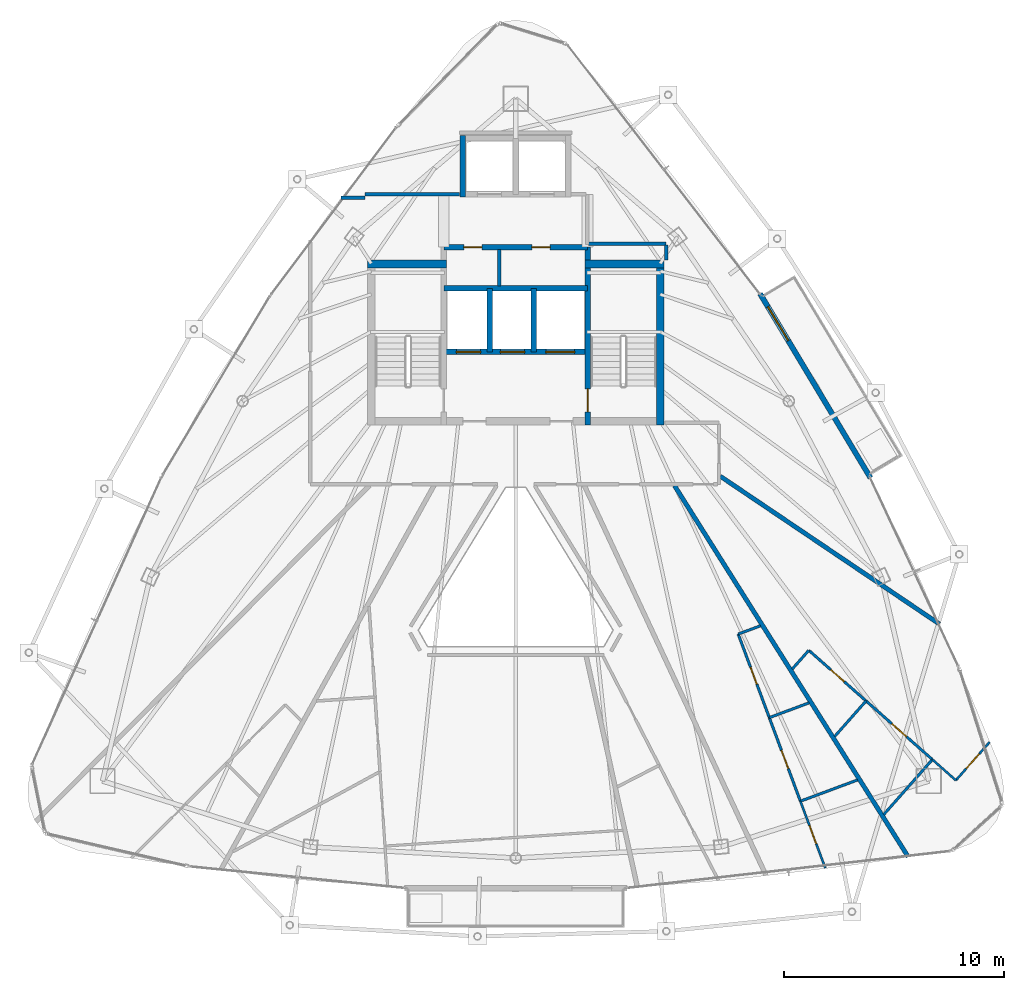
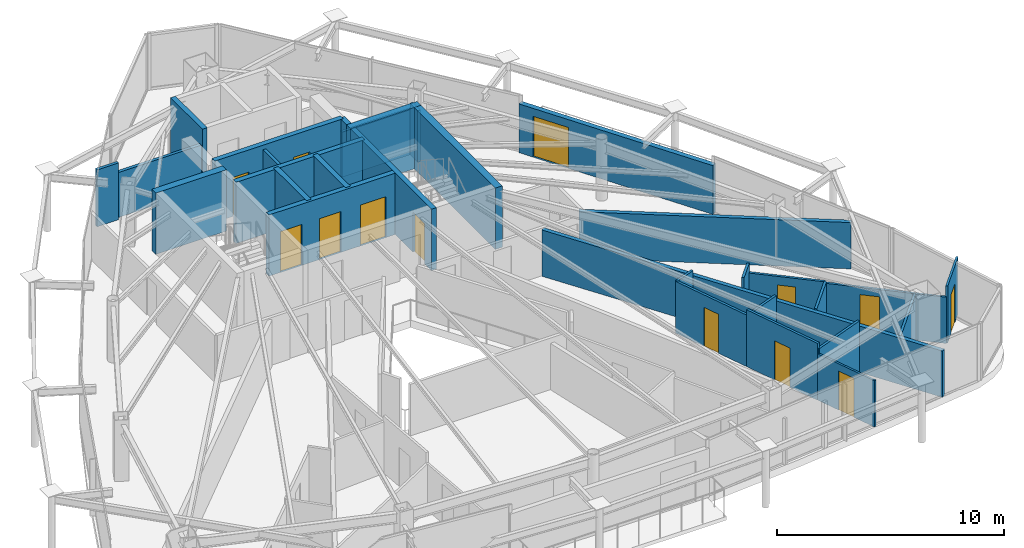
# One storey, part 26 of 29: 31 walls, 13 doors, 13 openings.
"""IFC4 building model written with IfcOpenShell, lengths in metres."""

from ifc_helpers import new_model, si_unit, direction, frame, frame_2d, origin, place, context, subcontext, project, spatial, rectangle, extrude, material, layer, layer_set, type_object, element, fill, save


model = new_model("IFC4")

# Units and contexts
model_context = context("Model", 3, precision=1e-05, world=origin(), true_north=direction((0.0, 1.0)))
body_context = subcontext(model_context, "Body", "Model", "MODEL_VIEW")
ifc_project = project(units=[si_unit("LENGTHUNIT", "METRE"), si_unit("AREAUNIT", "SQUARE_METRE"), si_unit("VOLUMEUNIT", "CUBIC_METRE"), si_unit("PLANEANGLEUNIT", "RADIAN"), si_unit("MASSUNIT", "GRAM", prefix="KILO")], contexts=[model_context])

# Site, building, storey
site_placement = place(None, origin())
site = spatial("IfcSite", under=ifc_project, at=site_placement, CompositionType="ELEMENT")
building_placement = place(site_placement, origin())
building = spatial("IfcBuilding", under=site, at=building_placement, Name="Orvanel Arch Residences", CompositionType="ELEMENT")
storey_placement = place(building_placement, frame((0.0, 0.0, 256.85009765625)))
storey = spatial("IfcBuildingStorey", under=building, at=storey_placement, Name="L73", CompositionType="ELEMENT", Elevation=256.85009765625)

# Wall, opening, door
ifc_material_1 = material(Name="Precast concrete N50 (50 MPa)", Category="concrete")
ifc_layer_1 = layer(ifc_material_1, 0.239990234375)
ifc_layer_set_1 = layer_set([ifc_layer_1], Name="Precast concrete N50 (50 MPa)")
wall_type_1 = type_object("IfcWallType", Name="EW-BAL-240", PredefinedType="SOLIDWALL", material=ifc_layer_set_1)
wall_1_placement = place(storey_placement, frame((49.14599609375, 24.14697265625, 0.0), z_axis=(0.0, 0.0, 1.0), x_axis=(-0.514275407092, 0.857625096216, 0.0)))
wall_1 = element("IfcWall", 1, at=wall_1_placement, inside=storey, type_object=wall_type_1, Name="L73 Balcony Threshold Wall Face 3", PredefinedType="SOLIDWALL", context=body_context, shape_type="SweptSolid", body=[
    extrude(rectangle(XDim=9.777099609375, YDim=0.239990234375, at=frame_2d((4.888671875, 0.0))), origin(), (0.0, 0.0, 1.0), 2.6240234375),
])
opening_1_placement = place(wall_1_placement, frame((7.279052734375, 0.0, 0.0)))
opening_1 = element("IfcOpeningElement", 2, at=opening_1_placement, cuts=wall_1, Name="Opening DB-180", PredefinedType="OPENING", context=body_context, shape_type="SweptSolid", body=[
    extrude(rectangle(XDim=1.800048828125, YDim=2.199951171875, at=frame_2d((0.89990234375, 1.10009765625))), frame((0.0, 0.1298828125, 0.0), z_axis=(0.0, -1.0, 0.0), x_axis=(1.0, 0.0, 0.0)), (0.0, 0.0, 1.0), 0.260009765625),
])
ifc_material_2 = material(Name="Bronze-anodised aluminium AA6063-T6", Category="aluminium")
door_type_1 = type_object("IfcDoorType", Name="DR-BAL-1800", OperationType="NOTDEFINED", PredefinedType="DOOR", material=ifc_material_2)
door_1_placement = place(opening_1_placement, origin())
door_1 = element("IfcDoor", 3, at=door_1_placement, inside=storey, type_object=door_type_1, Name="DR-L73-BAL-F3 L73 Planted Balcony Access Door Face 3", OperationType="SINGLE_SWING_RIGHT", OverallHeight=2.199951171875, OverallWidth=1.800048828125, PredefinedType="DOOR", context=body_context, shape_type="SweptSolid", body=[
    extrude(rectangle(XDim=1.800048828125, YDim=2.199951171875, at=frame_2d((0.89990234375, 1.10009765625))), frame((0.0, 0.02490234375, 0.0), z_axis=(0.0, -1.0, 0.0), x_axis=(1.0, 0.0, 0.0)), (0.0, 0.0, 1.0), 0.050048828125),
])
fill(opening_1, door_1)

ifc_material_3 = material(Name="Concrete N50 (50 MPa)", Category="concrete")
ifc_layer_2 = layer(ifc_material_3, 0.25)
ifc_layer_set_2 = layer_set([ifc_layer_2], Name="Concrete N50 (50 MPa)")
wall_type_2 = type_object("IfcWallType", Name="SW-CORE-250", PredefinedType="SHEAR", material=ifc_layer_set_2)
wall_2_placement = place(storey_placement, frame((36.27490234375, 26.550048828125, 0.0), z_axis=(0.0, 0.0, 1.0), x_axis=(0.0, 1.0, 0.0)))
wall_2 = element("IfcWall", 4, at=wall_2_placement, inside=storey, type_object=wall_type_2, Name="L73 East Inner Core Spine Shear Wall", PredefinedType="SHEAR", context=body_context, shape_type="SweptSolid", body=[
    extrude(rectangle(XDim=8.099853515625, YDim=0.25, at=frame_2d((4.0498046875, 0.0))), origin(), (0.0, 0.0, 1.0), 3.2998046875),
])
opening_2_placement = place(wall_2_placement, frame((0.60009765625, 0.0, 0.0)))
opening_2 = element("IfcOpeningElement", 5, at=opening_2_placement, cuts=wall_2, Name="Opening DF-120", PredefinedType="OPENING", context=body_context, shape_type="SweptSolid", body=[
    extrude(rectangle(XDim=1.050048828125, YDim=2.14990234375, at=frame_2d((0.52490234375, 1.074951171875))), frame((0.0, 0.135009765625, 0.0), z_axis=(0.0, -1.0, 0.0), x_axis=(1.0, 0.0, 0.0)), (0.0, 0.0, 1.0), 0.27001953125),
])
ifc_material_4 = material(Name="Galvanised steel fire-resisting door assembly", Category="steel")
door_type_2 = type_object("IfcDoorType", Name="DR-FD120-1050", OperationType="NOTDEFINED", PredefinedType="DOOR", material=ifc_material_4)
door_2_placement = place(opening_2_placement, origin())
door_2 = element("IfcDoor", 6, at=door_2_placement, inside=storey, type_object=door_type_2, Name="DR-L73-ST2 L73 Stair 2 Fire Door", OperationType="SINGLE_SWING_RIGHT", OverallHeight=2.14990234375, OverallWidth=1.050048828125, PredefinedType="DOOR", context=body_context, shape_type="SweptSolid", body=[
    extrude(rectangle(XDim=1.050048828125, YDim=2.14990234375, at=frame_2d((0.52490234375, 1.074951171875))), frame((0.0, 0.02490234375, 0.0), z_axis=(0.0, -1.0, 0.0), x_axis=(1.0, 0.0, 0.0)), (0.0, 0.0, 1.0), 0.050048828125),
])
fill(opening_2, door_2)

# Wall, openings, doors
wall_3_placement = place(storey_placement, frame((36.27490234375, 29.875, 0.0), z_axis=(0.0, 0.0, 1.0), x_axis=(-1.0, 0.0, 0.0)))
wall_3 = element("IfcWall", 7, at=wall_3_placement, inside=storey, type_object=wall_type_2, Name="L73 Emergency Lift Front Core Shear Wall", PredefinedType="SHEAR", context=body_context, shape_type="SweptSolid", body=[
    extrude(rectangle(XDim=6.5498046875, YDim=0.25, at=frame_2d((3.27490234375, 0.0))), origin(), (0.0, 0.0, 1.0), 3.2998046875),
])
opening_3_placement = place(wall_3_placement, frame((4.875, 0.0, 0.0)))
opening_3 = element("IfcOpeningElement", 8, at=opening_3_placement, cuts=wall_3, Name="Opening LD-110", PredefinedType="OPENING", context=body_context, shape_type="SweptSolid", body=[
    extrude(rectangle(XDim=1.10009765625, YDim=2.199951171875, at=frame_2d((0.550048828125, 1.10009765625))), frame((0.0, 0.135009765625, 0.0), z_axis=(0.0, -1.0, 0.0), x_axis=(1.0, 0.0, 0.0)), (0.0, 0.0, 1.0), 0.27001953125),
])
opening_4_placement = place(wall_3_placement, frame((2.875, 0.0, 0.0)))
opening_4 = element("IfcOpeningElement", 9, at=opening_4_placement, cuts=wall_3, Name="Opening LD-110", PredefinedType="OPENING", context=body_context, shape_type="SweptSolid", body=[
    extrude(rectangle(XDim=1.10009765625, YDim=2.199951171875, at=frame_2d((0.550048828125, 1.10009765625))), frame((0.0, 0.135009765625, 0.0), z_axis=(0.0, -1.0, 0.0), x_axis=(1.0, 0.0, 0.0)), (0.0, 0.0, 1.0), 0.27001953125),
])
opening_5_placement = place(wall_3_placement, frame((0.60009765625, 0.0, 0.0)))
opening_5 = element("IfcOpeningElement", 10, at=opening_5_placement, cuts=wall_3, Name="Opening LD-130", PredefinedType="OPENING", context=body_context, shape_type="SweptSolid", body=[
    extrude(rectangle(XDim=1.300048828125, YDim=2.199951171875, at=frame_2d((0.64990234375, 1.10009765625))), frame((0.0, 0.135009765625, 0.0), z_axis=(0.0, -1.0, 0.0), x_axis=(1.0, 0.0, 0.0)), (0.0, 0.0, 1.0), 0.27001953125),
])
door_type_3 = type_object("IfcDoorType", Name="DR-LFT-1100", OperationType="NOTDEFINED", PredefinedType="DOOR", material=ifc_material_4)
door_3_placement = place(opening_3_placement, origin())
door_3 = element("IfcDoor", 11, at=door_3_placement, inside=storey, type_object=door_type_3, Name="LD-F1-L73 L73 Lift F1 Sliding Landing Door", OperationType="DOUBLE_DOOR_SLIDING", OverallHeight=2.199951171875, OverallWidth=1.10009765625, PredefinedType="DOOR", context=body_context, shape_type="SweptSolid", body=[
    extrude(rectangle(XDim=1.10009765625, YDim=2.199951171875, at=frame_2d((0.550048828125, 1.10009765625))), frame((0.0, 0.02490234375, 0.0), z_axis=(0.0, -1.0, 0.0), x_axis=(1.0, 0.0, 0.0)), (0.0, 0.0, 1.0), 0.050048828125),
])
fill(opening_3, door_3)
door_4_placement = place(opening_4_placement, origin())
door_4 = element("IfcDoor", 12, at=door_4_placement, inside=storey, type_object=door_type_3, Name="LD-F2-L73 L73 Lift F2 Sliding Landing Door", OperationType="DOUBLE_DOOR_SLIDING", OverallHeight=2.199951171875, OverallWidth=1.10009765625, PredefinedType="DOOR", context=body_context, shape_type="SweptSolid", body=[
    extrude(rectangle(XDim=1.10009765625, YDim=2.199951171875, at=frame_2d((0.550048828125, 1.10009765625))), frame((0.0, 0.02490234375, 0.0), z_axis=(0.0, -1.0, 0.0), x_axis=(1.0, 0.0, 0.0)), (0.0, 0.0, 1.0), 0.050048828125),
])
fill(opening_4, door_4)
door_type_4 = type_object("IfcDoorType", Name="DR-LFT-1300", OperationType="NOTDEFINED", PredefinedType="DOOR", material=ifc_material_4)
door_5_placement = place(opening_5_placement, origin())
door_5 = element("IfcDoor", 13, at=door_5_placement, inside=storey, type_object=door_type_4, Name="LD-G1-L73 L73 Lift G1 Sliding Landing Door", OperationType="DOUBLE_DOOR_SLIDING", OverallHeight=2.199951171875, OverallWidth=1.300048828125, PredefinedType="DOOR", context=body_context, shape_type="SweptSolid", body=[
    extrude(rectangle(XDim=1.300048828125, YDim=2.199951171875, at=frame_2d((0.64990234375, 1.10009765625))), frame((0.0, 0.02490234375, 0.0), z_axis=(0.0, -1.0, 0.0), x_axis=(1.0, 0.0, 0.0)), (0.0, 0.0, 1.0), 0.050048828125),
])
fill(opening_5, door_5)

# Walls
wall_4_placement = place(storey_placement, frame((29.72509765625, 32.77490234375, 0.0), z_axis=(0.0, 0.0, 1.0), x_axis=(1.0, 0.0, 0.0)))
element("IfcWall", 14, at=wall_4_placement, inside=storey, type_object=wall_type_2, Name="L73 Emergency Lift Back Core Shear Wall", PredefinedType="SHEAR", context=body_context, shape_type="SweptSolid", body=[
    extrude(rectangle(XDim=6.5498046875, YDim=0.25, at=frame_2d((3.27490234375, 0.0))), origin(), (0.0, 0.0, 1.0), 3.2998046875),
])
for number, where, z_axis, x_axis, name in (
    (15, (31.824951171875, 29.875, 0.0), (0.0, 0.0, 1.0), (0.0, 1.0, 0.0), "L73 Emergency Lift Inter-Shaft Wall F12"),
    (16, (33.824951171875, 29.875, 0.0), (0.0, 0.0, 1.0), (0.0, 1.0, 0.0), "L73 Emergency Lift Inter-Shaft Wall F2G"),
):
    element("IfcWall", number, at=place(storey_placement, frame(where, z_axis=z_axis, x_axis=x_axis)), inside=storey, type_object=wall_type_2, Name=name, PredefinedType="SHEAR", context=body_context, shape_type="SweptSolid", body=[
        extrude(rectangle(XDim=2.89990234375, YDim=0.25, at=frame_2d((1.449951171875, 0.0))), origin(), (0.0, 0.0, 1.0), 3.2998046875),
    ])

# Wall, openings, doors
wall_5_placement = place(storey_placement, frame((29.72509765625, 34.64990234375, 0.0), z_axis=(0.0, 0.0, 1.0), x_axis=(1.0, 0.0, 0.0)))
wall_5 = element("IfcWall", 17, at=wall_5_placement, inside=storey, type_object=wall_type_2, Name="L73 Core Service Band North Shear Wall", PredefinedType="SHEAR", context=body_context, shape_type="SweptSolid", body=[
    extrude(rectangle(XDim=6.5498046875, YDim=0.25, at=frame_2d((3.27490234375, 0.0))), origin(), (0.0, 0.0, 1.0), 3.2998046875),
])
opening_6_placement = place(wall_5_placement, frame((0.9150390625, 0.0, 0.0)))
opening_6 = element("IfcOpeningElement", 18, at=opening_6_placement, cuts=wall_5, Name="Opening DS-082", PredefinedType="OPENING", context=body_context, shape_type="SweptSolid", body=[
    extrude(rectangle(XDim=0.820068359375, YDim=2.10009765625, at=frame_2d((0.41015625, 1.050048828125))), frame((0.0, 0.135009765625, 0.0), z_axis=(0.0, -1.0, 0.0), x_axis=(1.0, 0.0, 0.0)), (0.0, 0.0, 1.0), 0.27001953125),
])
opening_7_placement = place(wall_5_placement, frame((4.014892578125, 0.0, 0.0)))
opening_7 = element("IfcOpeningElement", 19, at=opening_7_placement, cuts=wall_5, Name="Opening DW-082", PredefinedType="OPENING", context=body_context, shape_type="SweptSolid", body=[
    extrude(rectangle(XDim=0.820068359375, YDim=2.10009765625, at=frame_2d((0.41015625, 1.050048828125))), frame((0.0, 0.135009765625, 0.0), z_axis=(0.0, -1.0, 0.0), x_axis=(1.0, 0.0, 0.0)), (0.0, 0.0, 1.0), 0.27001953125),
])
door_type_5 = type_object("IfcDoorType", Name="DR-SVC-820", OperationType="NOTDEFINED", PredefinedType="DOOR", material=ifc_material_4)
door_6_placement = place(opening_6_placement, origin())
door_6 = element("IfcDoor", 20, at=door_6_placement, inside=storey, type_object=door_type_5, Name="DR-L73-CSVC-1 L73 Floor Cleaner's Store Door", OperationType="SINGLE_SWING_LEFT", OverallHeight=2.10009765625, OverallWidth=0.820068359375, PredefinedType="DOOR", context=body_context, shape_type="SweptSolid", body=[
    extrude(rectangle(XDim=0.820068359375, YDim=2.10009765625, at=frame_2d((0.41015625, 1.050048828125))), frame((0.0, 0.02490234375, 0.0), z_axis=(0.0, -1.0, 0.0), x_axis=(1.0, 0.0, 0.0)), (0.0, 0.0, 1.0), 0.050048828125),
])
fill(opening_6, door_6)
ifc_material_5 = material(Name="Solid-core European oak veneer fire door leaf", Category="wood")
door_type_6 = type_object("IfcDoorType", Name="DR-WET-820", OperationType="NOTDEFINED", PredefinedType="DOOR", material=ifc_material_5)
door_7_placement = place(opening_7_placement, origin())
door_7 = element("IfcDoor", 21, at=door_7_placement, inside=storey, type_object=door_type_6, Name="DR-L73-CSVC-2 L73 Core Accessible WC Door", OperationType="SINGLE_SWING_LEFT", OverallHeight=2.10009765625, OverallWidth=0.820068359375, PredefinedType="DOOR", context=body_context, shape_type="SweptSolid", body=[
    extrude(rectangle(XDim=0.820068359375, YDim=2.10009765625, at=frame_2d((0.41015625, 1.050048828125))), frame((0.0, 0.02490234375, 0.0), z_axis=(0.0, -1.0, 0.0), x_axis=(1.0, 0.0, 0.0)), (0.0, 0.0, 1.0), 0.050048828125),
])
fill(opening_7, door_7)

# Walls
wall_6_placement = place(storey_placement, frame((30.60009765625, 36.925048828125, 0.0), z_axis=(0.0, 0.0, 1.0), x_axis=(0.0, 1.0, 0.0)))
element("IfcWall", 22, at=wall_6_placement, inside=storey, type_object=wall_type_2, Name="L73 Passenger Lift Bank West Shear Wall", PredefinedType="SHEAR", context=body_context, shape_type="SweptSolid", body=[
    extrude(rectangle(XDim=2.800048828125, YDim=0.25, at=frame_2d((1.39990234375, 0.0))), origin(), (0.0, 0.0, 1.0), 3.2998046875),
])
ifc_layer_3 = layer(ifc_material_3, 0.35009765625)
ifc_layer_set_3 = layer_set([ifc_layer_3], Name="Concrete N50 (50 MPa)")
wall_type_3 = type_object("IfcWallType", Name="SW-CORE-350", PredefinedType="SHEAR", material=ifc_layer_set_3)
wall_7_placement = place(storey_placement, frame((26.25, 33.875, 0.0), z_axis=(0.0, 0.0, 1.0), x_axis=(1.0, 0.0, 0.0)))
element("IfcWall", 23, at=wall_7_placement, inside=storey, type_object=wall_type_3, Name="L73 West Stair North Shear Wall", PredefinedType="SHEAR", context=body_context, shape_type="SweptSolid", body=[
    extrude(rectangle(XDim=3.60009765625, YDim=0.35009765625, at=frame_2d((1.800048828125, 0.0))), origin(), (0.0, 0.0, 1.0), 3.2998046875),
])
wall_8_placement = place(storey_placement, frame((39.574951171875, 26.550048828125, 0.0), z_axis=(0.0, 0.0, 1.0), x_axis=(0.0, 1.0, 0.0)))
element("IfcWall", 24, at=wall_8_placement, inside=storey, type_object=wall_type_3, Name="L73 East Stair Shear Wall", PredefinedType="SHEAR", context=body_context, shape_type="SweptSolid", body=[
    extrude(rectangle(XDim=7.5, YDim=0.35009765625, at=frame_2d((3.75, 0.0))), origin(), (0.0, 0.0, 1.0), 3.2998046875),
])
wall_9_placement = place(storey_placement, frame((36.14990234375, 33.875, 0.0), z_axis=(0.0, 0.0, 1.0), x_axis=(1.0, 0.0, 0.0)))
element("IfcWall", 25, at=wall_9_placement, inside=storey, type_object=wall_type_3, Name="L73 East Stair North Shear Wall", PredefinedType="SHEAR", context=body_context, shape_type="SweptSolid", body=[
    extrude(rectangle(XDim=3.60009765625, YDim=0.35009765625, at=frame_2d((1.800048828125, 0.0))), origin(), (0.0, 0.0, 1.0), 3.2998046875),
])
ifc_material_6 = material(Name="Fire-rated plasterboard lined steel stud partition", Category="steel")
ifc_layer_4 = layer(ifc_material_6, 0.14990234375)
ifc_layer_set_4 = layer_set([ifc_layer_4], Name="Fire-rated plasterboard lined steel stud partition")
wall_type_4 = type_object("IfcWallType", Name="W-COR-150", PredefinedType="PARTITIONING", material=ifc_layer_set_4)
wall_10_placement = place(storey_placement, frame((25.05810546875, 36.89990234375, 0.0), z_axis=(0.0, 0.0, 1.0), x_axis=(1.0, 0.0, 0.0)))
element("IfcWall", 26, at=wall_10_placement, inside=storey, type_object=wall_type_4, Name="L73 Corridor Fire-Rated Partition", PredefinedType="PARTITIONING", context=body_context, shape_type="SweptSolid", body=[
    extrude(rectangle(XDim=1.091796875, YDim=0.14990234375, at=frame_2d((0.5458984375, 0.0))), origin(), (0.0, 0.0, 1.0), 3.059814453125),
])
wall_11_placement = place(storey_placement, frame((26.14990234375, 37.050048828125, 0.0), z_axis=(0.0, 0.0, 1.0), x_axis=(1.0, 0.0, 0.0)))
element("IfcWall", 27, at=wall_11_placement, inside=storey, type_object=wall_type_4, Name="L73 Core Perimeter Partition", PredefinedType="PARTITIONING", context=body_context, shape_type="SweptSolid", body=[
    extrude(rectangle(XDim=4.300048828125, YDim=0.14990234375, at=frame_2d((2.14990234375, 0.0))), origin(), (0.0, 0.0, 1.0), 2.4248046875),
])
wall_12_placement = place(storey_placement, frame((36.31005859375, 34.800048828125, 0.0), z_axis=(0.0, 0.0, 1.0), x_axis=(1.0, 0.0, 0.0)))
element("IfcWall", 28, at=wall_12_placement, inside=storey, type_object=wall_type_4, Name="L73 Core Perimeter Partition", PredefinedType="PARTITIONING", context=body_context, shape_type="SweptSolid", body=[
    extrude(rectangle(XDim=3.5400390625, YDim=0.14990234375, at=frame_2d((1.77001953125, 0.0))), origin(), (0.0, 0.0, 1.0), 2.4248046875),
])
wall_13_placement = place(storey_placement, frame((39.85009765625, 34.739990234375, 0.0), z_axis=(0.0, 0.0, 1.0), x_axis=(0.0, -1.0, 0.0)))
element("IfcWall", 29, at=wall_13_placement, inside=storey, type_object=wall_type_4, Name="L73 Core Perimeter Partition", PredefinedType="PARTITIONING", context=body_context, shape_type="SweptSolid", body=[
    extrude(rectangle(XDim=0.68994140625, YDim=0.14990234375, at=frame_2d((0.344970703125, 0.0))), origin(), (0.0, 0.0, 1.0), 2.77294921875),
])
ifc_layer_5 = layer(ifc_material_6, 0.199951171875)
ifc_layer_set_5 = layer_set([ifc_layer_5], Name="Fire-rated plasterboard lined steel stud partition")
wall_type_5 = type_object("IfcWallType", Name="W-DEM-200", PredefinedType="PARTITIONING", material=ifc_layer_set_5)
wall_14_placement = place(storey_placement, frame((52.283935546875, 17.492919921875, 0.0), z_axis=(0.0, 0.0, 1.0), x_axis=(-0.829053532208, 0.559169241584, 0.0)))
element("IfcWall", 30, at=wall_14_placement, inside=storey, type_object=wall_type_5, Name="L73 Inter-Tenancy Acoustic Demising Wall", PredefinedType="PARTITIONING", context=body_context, shape_type="SweptSolid", body=[
    extrude(rectangle(XDim=12.030517578125, YDim=0.199951171875, at=frame_2d((6.01513671875, 0.0))), origin(), (0.0, 0.0, 1.0), 2.491943359375),
])
wall_15_placement = place(storey_placement, frame((50.863037109375, 6.89892578125, 0.0), z_axis=(0.0, 0.0, 1.0), x_axis=(-0.532843438342, 0.846213844259, 0.0)))
element("IfcWall", 31, at=wall_15_placement, inside=storey, type_object=wall_type_5, Name="L73 Inter-Tenancy Acoustic Demising Wall", PredefinedType="PARTITIONING", context=body_context, shape_type="SweptSolid", body=[
    extrude(rectangle(XDim=19.960693359375, YDim=0.199951171875, at=frame_2d((9.98046875, 0.0))), origin(), (0.0, 0.0, 1.0), 2.491943359375),
])

# Wall, opening, door
ifc_material_7 = material(Name="Acoustic plasterboard lined twin-stud partition", Category="gypsum")
ifc_layer_6 = layer(ifc_material_7, 0.10009765625)
ifc_layer_set_6 = layer_set([ifc_layer_6], Name="Acoustic plasterboard lined twin-stud partition")
wall_type_6 = type_object("IfcWallType", Name="W-INT-100", PredefinedType="PARTITIONING", material=ifc_layer_set_6)
wall_16_placement = place(storey_placement, frame((54.56689453125, 12.1220703125, 0.0), z_axis=(0.0, 0.0, 1.0), x_axis=(-0.662212906575, -0.749315732095, 0.0)))
wall_16 = element("IfcWall", 32, at=wall_16_placement, inside=storey, type_object=wall_type_6, Name="L73 Studio E Internal Partition", PredefinedType="PARTITIONING", context=body_context, shape_type="SweptSolid", body=[
    extrude(rectangle(XDim=2.32080078125, YDim=0.10009765625, at=frame_2d((1.160400390625, 0.0))), origin(), (0.0, 0.0, 1.0), 3.059814453125),
])
opening_8_placement = place(wall_16_placement, frame((0.719970703125, 0.0, 0.0)))
opening_8 = element("IfcOpeningElement", 33, at=opening_8_placement, cuts=wall_16, Name="Opening DI-088", PredefinedType="OPENING", context=body_context, shape_type="SweptSolid", body=[
    extrude(rectangle(XDim=0.8798828125, YDim=2.10009765625, at=frame_2d((0.43994140625, 1.050048828125))), frame((0.0, 0.06005859375, 0.0), z_axis=(0.0, -1.0, 0.0), x_axis=(1.0, 0.0, 0.0)), (0.0, 0.0, 1.0), 0.1201171875),
])
door_type_7 = type_object("IfcDoorType", Name="DR-INT-880", OperationType="NOTDEFINED", PredefinedType="DOOR", material=ifc_material_5)
door_8_placement = place(opening_8_placement, origin())
door_8 = element("IfcDoor", 34, at=door_8_placement, inside=storey, type_object=door_type_7, Name="DR-L73-E-DIN1 L73 Studio E Dining Room 1 Door", OperationType="SINGLE_SWING_LEFT", OverallHeight=2.10009765625, OverallWidth=0.8798828125, PredefinedType="DOOR", context=body_context, shape_type="SweptSolid", body=[
    extrude(rectangle(XDim=0.8798828125, YDim=2.10009765625, at=frame_2d((0.43994140625, 1.050048828125))), frame((0.0, 0.02490234375, 0.0), z_axis=(0.0, -1.0, 0.0), x_axis=(1.0, 0.0, 0.0)), (0.0, 0.0, 1.0), 0.050048828125),
])
fill(opening_8, door_8)

# Wall
wall_17_placement = place(storey_placement, frame((53.030029296875, 10.383056640625, 0.0), z_axis=(0.0, 0.0, 1.0), x_axis=(-0.749313288423, 0.66221567166, 0.0)))
element("IfcWall", 35, at=wall_17_placement, inside=storey, type_object=wall_type_6, Name="L73 Studio E Internal Partition", PredefinedType="PARTITIONING", context=body_context, shape_type="SweptSolid", body=[
    extrude(rectangle(XDim=1.4267578125, YDim=0.10009765625, at=frame_2d((0.71337890625, 0.0))), origin(), (0.0, 0.0, 1.0), 2.491943359375),
])

# Wall, opening, door
wall_18_placement = place(storey_placement, frame((45.955078125, 9.431884765625, 0.0), z_axis=(0.0, 0.0, 1.0), x_axis=(0.34888547359, -0.937165367647, 0.0)))
wall_18 = element("IfcWall", 36, at=wall_18_placement, inside=storey, type_object=wall_type_6, Name="L73 Studio F Internal Partition", PredefinedType="PARTITIONING", context=body_context, shape_type="SweptSolid", body=[
    extrude(rectangle(XDim=3.253173828125, YDim=0.10009765625, at=frame_2d((1.62646484375, 0.0))), origin(), (0.0, 0.0, 1.0), 2.491943359375),
])
opening_9_placement = place(wall_18_placement, frame((1.18701171875, 0.0, 0.0)))
opening_9 = element("IfcOpeningElement", 37, at=opening_9_placement, cuts=wall_18, Name="Opening DI-088", PredefinedType="OPENING", context=body_context, shape_type="SweptSolid", body=[
    extrude(rectangle(XDim=0.8798828125, YDim=2.10009765625, at=frame_2d((0.43994140625, 1.050048828125))), frame((0.0, 0.06005859375, 0.0), z_axis=(0.0, -1.0, 0.0), x_axis=(1.0, 0.0, 0.0)), (0.0, 0.0, 1.0), 0.1201171875),
])
door_9_placement = place(opening_9_placement, origin())
door_9 = element("IfcDoor", 38, at=door_9_placement, inside=storey, type_object=door_type_7, Name="DR-L73-F-DIN1 L73 Studio F Dining Room 1 Door", OperationType="SINGLE_SWING_LEFT", OverallHeight=2.10009765625, OverallWidth=0.8798828125, PredefinedType="DOOR", context=body_context, shape_type="SweptSolid", body=[
    extrude(rectangle(XDim=0.8798828125, YDim=2.10009765625, at=frame_2d((0.43994140625, 1.050048828125))), frame((0.0, 0.02490234375, 0.0), z_axis=(0.0, -1.0, 0.0), x_axis=(1.0, 0.0, 0.0)), (0.0, 0.0, 1.0), 0.050048828125),
])
fill(opening_9, door_9)

# Wall
ifc_layer_7 = layer(ifc_material_6, 0.14990234375)
ifc_layer_set_7 = layer_set([ifc_layer_7], Name="Fire-rated plasterboard lined steel stud partition")
wall_type_7 = type_object("IfcWallType", Name="W-ST-150", PredefinedType="PARTITIONING", material=ifc_layer_set_7)
wall_19_placement = place(storey_placement, frame((32.25, 32.885009765625, 0.0), z_axis=(0.0, 0.0, 1.0), x_axis=(0.0, 1.0, 0.0)))
element("IfcWall", 39, at=wall_19_placement, inside=storey, type_object=wall_type_7, Name="L73 Core Service Partition 1", PredefinedType="PARTITIONING", context=body_context, shape_type="SweptSolid", body=[
    extrude(rectangle(XDim=1.655029296875, YDim=0.14990234375, at=frame_2d((0.82763671875, 0.0))), origin(), (0.0, 0.0, 1.0), 3.059814453125),
])

# Wall, opening, door
ifc_layer_8 = layer(ifc_material_7, 0.1201171875)
ifc_layer_set_8 = layer_set([ifc_layer_8], Name="Acoustic plasterboard lined twin-stud partition")
wall_type_8 = type_object("IfcWallType", Name="W-WET-120", PredefinedType="PARTITIONING", material=ifc_layer_set_8)
wall_20_placement = place(storey_placement, frame((48.943115234375, 13.9951171875, 0.0), z_axis=(0.0, 0.0, 1.0), x_axis=(-0.749231040751, 0.662308725275, 0.0)))
wall_20 = element("IfcWall", 40, at=wall_20_placement, inside=storey, type_object=wall_type_8, Name="L73 Studio E Bathroom Partition", PredefinedType="PARTITIONING", context=body_context, shape_type="SweptSolid", body=[
    extrude(rectangle(XDim=3.477294921875, YDim=0.1201171875, at=frame_2d((1.73876953125, 0.0))), origin(), (0.0, 0.0, 1.0), 2.56494140625),
])
opening_10_placement = place(wall_20_placement, frame((1.3291015625, 0.0, 0.0)))
opening_10 = element("IfcOpeningElement", 41, at=opening_10_placement, cuts=wall_20, Name="Opening DW-082", PredefinedType="OPENING", context=body_context, shape_type="SweptSolid", body=[
    extrude(rectangle(XDim=0.820068359375, YDim=2.10009765625, at=frame_2d((0.41015625, 1.050048828125))), frame((0.0, 0.070068359375, 0.0), z_axis=(0.0, -1.0, 0.0), x_axis=(1.0, 0.0, 0.0)), (0.0, 0.0, 1.0), 0.14013671875),
])
door_10_placement = place(opening_10_placement, origin())
door_10 = element("IfcDoor", 42, at=door_10_placement, inside=storey, type_object=door_type_6, Name="DR-L73-E-BATH L73 Studio E Bathroom Door", OperationType="SINGLE_SWING_RIGHT", OverallHeight=2.10009765625, OverallWidth=0.820068359375, PredefinedType="DOOR", context=body_context, shape_type="SweptSolid", body=[
    extrude(rectangle(XDim=0.820068359375, YDim=2.10009765625, at=frame_2d((0.41015625, 1.050048828125))), frame((0.0, 0.02490234375, 0.0), z_axis=(0.0, -1.0, 0.0), x_axis=(1.0, 0.0, 0.0)), (0.0, 0.0, 1.0), 0.050048828125),
])
fill(opening_10, door_10)

# Wall
wall_21_placement = place(storey_placement, frame((46.337890625, 16.298095703125, 0.0), z_axis=(0.0, 0.0, 1.0), x_axis=(-0.662287293934, -0.749249985181, 0.0)))
element("IfcWall", 43, at=wall_21_placement, inside=storey, type_object=wall_type_8, Name="L73 Studio E Bathroom Partition", PredefinedType="PARTITIONING", context=body_context, shape_type="SweptSolid", body=[
    extrude(rectangle(XDim=1.139892578125, YDim=0.1201171875, at=frame_2d((0.56982421875, 0.0))), origin(), (0.0, 0.0, 1.0), 3.059814453125),
])

# Wall, opening, door
wall_22_placement = place(storey_placement, frame((51.9609375, 11.327880859375, 0.0), z_axis=(0.0, 0.0, 1.0), x_axis=(-0.749289212621, 0.662242913024, 0.0)))
wall_22 = element("IfcWall", 44, at=wall_22_placement, inside=storey, type_object=wall_type_8, Name="L73 Studio E Internal Partition", PredefinedType="PARTITIONING", context=body_context, shape_type="SweptSolid", body=[
    extrude(rectangle(XDim=4.027587890625, YDim=0.1201171875, at=frame_2d((2.013671875, 0.0))), origin(), (0.0, 0.0, 1.0), 2.491943359375),
])
opening_11_placement = place(wall_22_placement, frame((1.573974609375, 0.0, 0.0)))
opening_11 = element("IfcOpeningElement", 45, at=opening_11_placement, cuts=wall_22, Name="Opening DI-088", PredefinedType="OPENING", context=body_context, shape_type="SweptSolid", body=[
    extrude(rectangle(XDim=0.8798828125, YDim=2.10009765625, at=frame_2d((0.43994140625, 1.050048828125))), frame((0.0, 0.070068359375, 0.0), z_axis=(0.0, -1.0, 0.0), x_axis=(1.0, 0.0, 0.0)), (0.0, 0.0, 1.0), 0.14013671875),
])
door_11_placement = place(opening_11_placement, origin())
door_11 = element("IfcDoor", 46, at=door_11_placement, inside=storey, type_object=door_type_7, Name="DR-L73-E-KIT L73 Studio E Kitchenette Door", OperationType="SINGLE_SWING_LEFT", OverallHeight=2.10009765625, OverallWidth=0.8798828125, PredefinedType="DOOR", context=body_context, shape_type="SweptSolid", body=[
    extrude(rectangle(XDim=0.8798828125, YDim=2.10009765625, at=frame_2d((0.43994140625, 1.050048828125))), frame((0.0, 0.02490234375, 0.0), z_axis=(0.0, -1.0, 0.0), x_axis=(1.0, 0.0, 0.0)), (0.0, 0.0, 1.0), 0.050048828125),
])
fill(opening_11, door_11)

# Walls
wall_23_placement = place(storey_placement, frame((48.943115234375, 13.9951171875, 0.0), z_axis=(0.0, 0.0, 1.0), x_axis=(-0.662212567735, -0.749316031547, 0.0)))
element("IfcWall", 47, at=wall_23_placement, inside=storey, type_object=wall_type_8, Name="L73 Studio E Bathroom Partition", PredefinedType="PARTITIONING", context=body_context, shape_type="SweptSolid", body=[
    extrude(rectangle(XDim=2.158203125, YDim=0.1201171875, at=frame_2d((1.0791015625, 0.0))), origin(), (0.0, 0.0, 1.0), 2.56494140625),
])
wall_24_placement = place(storey_placement, frame((51.9609375, 11.327880859375, 0.0), z_axis=(0.0, 0.0, 1.0), x_axis=(-0.662327669466, -0.74921429395, 0.0)))
element("IfcWall", 48, at=wall_24_placement, inside=storey, type_object=wall_type_8, Name="L73 Studio E Internal Partition", PredefinedType="PARTITIONING", context=body_context, shape_type="SweptSolid", body=[
    extrude(rectangle(XDim=3.338134765625, YDim=0.1201171875, at=frame_2d((1.6689453125, 0.0))), origin(), (0.0, 0.0, 1.0), 2.491943359375),
])
wall_25_placement = place(storey_placement, frame((44.14111328125, 17.4150390625, 0.0), z_axis=(0.0, 0.0, 1.0), x_axis=(-0.937563848777, -0.347813210599, 0.0)))
element("IfcWall", 49, at=wall_25_placement, inside=storey, type_object=wall_type_8, Name="L73 Studio F Bathroom Partition", PredefinedType="PARTITIONING", context=body_context, shape_type="SweptSolid", body=[
    extrude(rectangle(XDim=1.083740234375, YDim=0.1201171875, at=frame_2d((0.5419921875, 0.0))), origin(), (0.0, 0.0, 1.0), 2.77294921875),
])

# Wall, opening, door
wall_26_placement = place(storey_placement, frame((43.125, 17.0380859375, 0.0), z_axis=(0.0, 0.0, 1.0), x_axis=(0.348728795746, -0.937223680355, 0.0)))
wall_26 = element("IfcWall", 50, at=wall_26_placement, inside=storey, type_object=wall_type_8, Name="L73 Studio F Bathroom Partition", PredefinedType="PARTITIONING", context=body_context, shape_type="SweptSolid", body=[
    extrude(rectangle(XDim=4.0576171875, YDim=0.1201171875, at=frame_2d((2.02880859375, 0.0))), origin(), (0.0, 0.0, 1.0), 2.77294921875),
])
opening_12_placement = place(wall_26_placement, frame((1.618896484375, 0.0, 0.0)))
opening_12 = element("IfcOpeningElement", 51, at=opening_12_placement, cuts=wall_26, Name="Opening DW-082", PredefinedType="OPENING", context=body_context, shape_type="SweptSolid", body=[
    extrude(rectangle(XDim=0.820068359375, YDim=2.10009765625, at=frame_2d((0.41015625, 1.050048828125))), frame((0.0, 0.070068359375, 0.0), z_axis=(0.0, -1.0, 0.0), x_axis=(1.0, 0.0, 0.0)), (0.0, 0.0, 1.0), 0.14013671875),
])
door_12_placement = place(opening_12_placement, origin())
door_12 = element("IfcDoor", 52, at=door_12_placement, inside=storey, type_object=door_type_6, Name="DR-L73-F-BATH L73 Studio F Bathroom Door", OperationType="SINGLE_SWING_RIGHT", OverallHeight=2.10009765625, OverallWidth=0.820068359375, PredefinedType="DOOR", context=body_context, shape_type="SweptSolid", body=[
    extrude(rectangle(XDim=0.820068359375, YDim=2.10009765625, at=frame_2d((0.41015625, 1.050048828125))), frame((0.0, 0.02490234375, 0.0), z_axis=(0.0, -1.0, 0.0), x_axis=(1.0, 0.0, 0.0)), (0.0, 0.0, 1.0), 0.050048828125),
])
fill(opening_12, door_12)

wall_27_placement = place(storey_placement, frame((44.5400390625, 13.235107421875, 0.0), z_axis=(0.0, 0.0, 1.0), x_axis=(0.348709131935, -0.937230996769, 0.0)))
wall_27 = element("IfcWall", 53, at=wall_27_placement, inside=storey, type_object=wall_type_8, Name="L73 Studio F Internal Partition", PredefinedType="PARTITIONING", context=body_context, shape_type="SweptSolid", body=[
    extrude(rectangle(XDim=4.057861328125, YDim=0.1201171875, at=frame_2d((2.02880859375, 0.0))), origin(), (0.0, 0.0, 1.0), 3.059814453125),
])
opening_13_placement = place(wall_27_placement, frame((1.589111328125, 0.0, 0.0)))
opening_13 = element("IfcOpeningElement", 54, at=opening_13_placement, cuts=wall_27, Name="Opening DI-088", PredefinedType="OPENING", context=body_context, shape_type="SweptSolid", body=[
    extrude(rectangle(XDim=0.8798828125, YDim=2.10009765625, at=frame_2d((0.43994140625, 1.050048828125))), frame((0.0, 0.070068359375, 0.0), z_axis=(0.0, -1.0, 0.0), x_axis=(1.0, 0.0, 0.0)), (0.0, 0.0, 1.0), 0.14013671875),
])
door_13_placement = place(opening_13_placement, origin())
door_13 = element("IfcDoor", 55, at=door_13_placement, inside=storey, type_object=door_type_7, Name="DR-L73-F-KIT L73 Studio F Kitchenette Door", OperationType="SINGLE_SWING_LEFT", OverallHeight=2.10009765625, OverallWidth=0.8798828125, PredefinedType="DOOR", context=body_context, shape_type="SweptSolid", body=[
    extrude(rectangle(XDim=0.8798828125, YDim=2.10009765625, at=frame_2d((0.43994140625, 1.050048828125))), frame((0.0, 0.02490234375, 0.0), z_axis=(0.0, -1.0, 0.0), x_axis=(1.0, 0.0, 0.0)), (0.0, 0.0, 1.0), 0.050048828125),
])
fill(opening_13, door_13)

# Walls
wall_28_placement = place(storey_placement, frame((46.34912109375, 13.907958984375, 0.0), z_axis=(0.0, 0.0, 1.0), x_axis=(-0.937271835507, -0.348599349347, 0.0)))
element("IfcWall", 56, at=wall_28_placement, inside=storey, type_object=wall_type_8, Name="L73 Studio F Bathroom Partition", PredefinedType="PARTITIONING", context=body_context, shape_type="SweptSolid", body=[
    extrude(rectangle(XDim=1.93017578125, YDim=0.1201171875, at=frame_2d((0.965087890625, 0.0))), origin(), (0.0, 0.0, 1.0), 2.77294921875),
])
wall_29_placement = place(storey_placement, frame((48.55810546875, 10.39990234375, 0.0), z_axis=(0.0, 0.0, 1.0), x_axis=(-0.937286649549, -0.34855951655, 0.0)))
element("IfcWall", 57, at=wall_29_placement, inside=storey, type_object=wall_type_8, Name="L73 Studio F Internal Partition", PredefinedType="PARTITIONING", context=body_context, shape_type="SweptSolid", body=[
    extrude(rectangle(XDim=2.777099609375, YDim=0.1201171875, at=frame_2d((1.388671875, 0.0))), origin(), (0.0, 0.0, 1.0), 2.77294921875),
])

save(model, "model.ifc")
